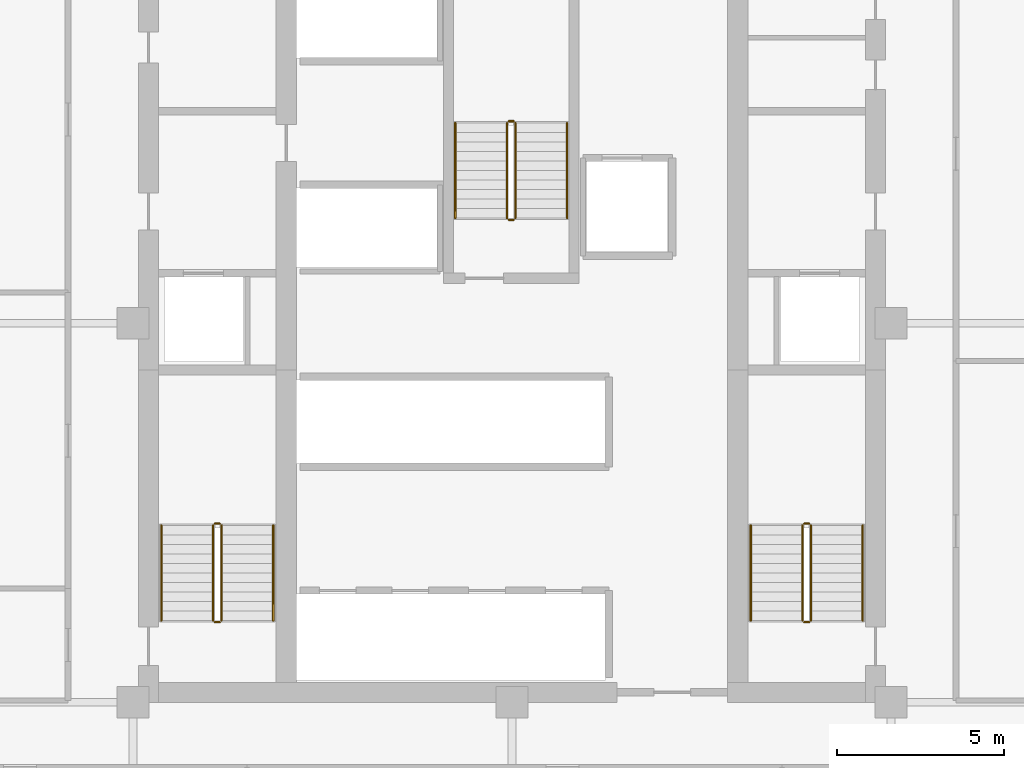
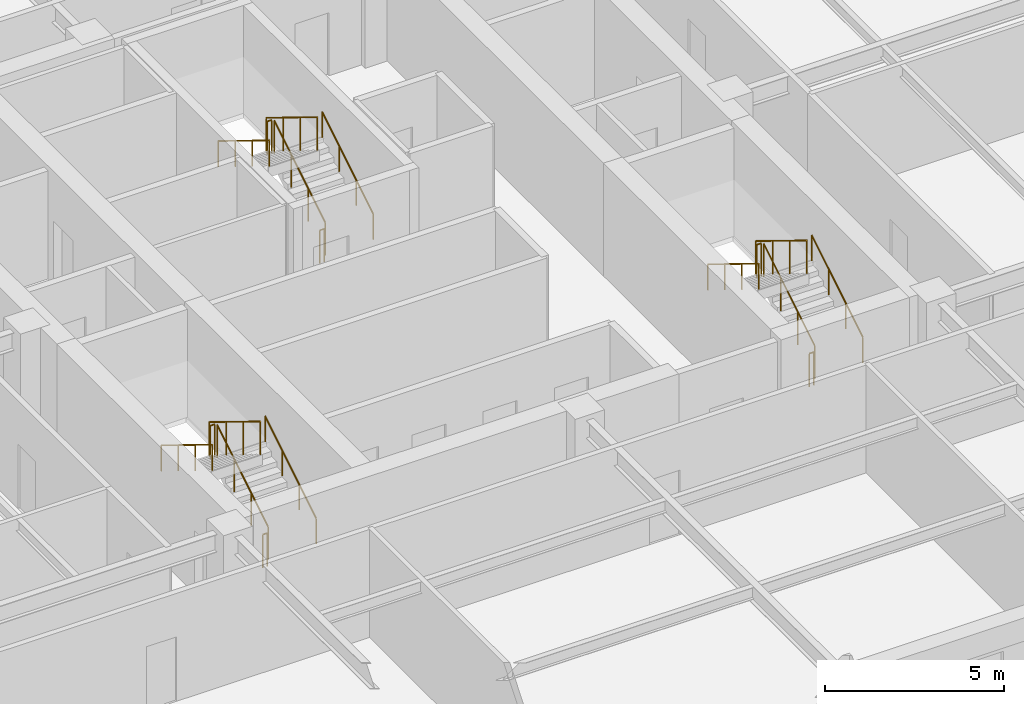
# One storey, part 7 of 8: 18 railings.
"""IFC4 building model written with IfcOpenShell, lengths in metres."""

from ifc_helpers import new_model, si_unit, direction, frame, origin, origin_2d, place, context, subcontext, project, spatial, circle, extrude, material, type_object, element, save


model = new_model("IFC4")

# Units and contexts
model_context = context("Model", 3, precision=1e-05, world=origin(), true_north=direction((0.0, 1.0)))
body_context = subcontext(model_context, "Body", "Model", "MODEL_VIEW")
ifc_project = project(units=[si_unit("LENGTHUNIT", "METRE"), si_unit("AREAUNIT", "SQUARE_METRE"), si_unit("VOLUMEUNIT", "CUBIC_METRE"), si_unit("PLANEANGLEUNIT", "RADIAN"), si_unit("MASSUNIT", "GRAM", prefix="KILO")], contexts=[model_context])

# Site, building, storey
site_placement = place(None, origin())
site = spatial("IfcSite", under=ifc_project, at=site_placement, CompositionType="ELEMENT")
building_placement = place(site_placement, origin())
building = spatial("IfcBuilding", under=site, at=building_placement, Name="Nhamokura Convention Tower", CompositionType="ELEMENT")
storey_placement = place(building_placement, frame((0.0, 0.0, 137.550048828125)))
storey = spatial("IfcBuildingStorey", under=building, at=storey_placement, Name="L33", CompositionType="ELEMENT", Elevation=137.550048828125)

# Railings
ifc_material_1 = material(Name="Anodised bronze stainless steel", Category="steel")
railing_type_1 = type_object("IfcRailingType", Name="StairWallHandrail_900", PredefinedType="HANDRAIL", material=ifc_material_1)
railing_1_placement = place(storey_placement, frame((24.85009765625, 23.10009765625, 0.175048828125)))
element("IfcRailing", 1, at=railing_1_placement, inside=storey, type_object=railing_type_1, Name="L33 ST-01 stair handrail 1", PredefinedType="HANDRAIL", context=body_context, shape_type="SweptSolid", body=[
    extrude(circle(Radius=0.02392578125, at=origin_2d()), frame((0.0, 0.0, 0.8759765625), z_axis=(0.0, 0.852159232446, 0.523282564737), x_axis=(-1.0, 0.0, 0.0)), (0.0, 0.0, 1.0), 3.34423828125),
    extrude(circle(Radius=0.02099609375, at=origin_2d()), origin(), (0.0, 0.0, 1.0), 0.851806640625),
    extrude(circle(Radius=0.02099609375, at=origin_2d()), frame((0.0, 0.949951171875, 0.583251953125)), (0.0, 0.0, 1.0), 0.851806640625),
    extrude(circle(Radius=0.02099609375, at=origin_2d()), frame((0.0, 1.89990234375, 1.166748046875)), (0.0, 0.0, 1.0), 0.851806640625),
    extrude(circle(Radius=0.02099609375, at=origin_2d()), frame((0.0, 2.849853515625, 1.75)), (0.0, 0.0, 1.0), 0.851806640625),
])
railing_2_placement = place(storey_placement, frame((21.5, 25.949951171875, 2.099853515625)))
element("IfcRailing", 2, at=railing_2_placement, inside=storey, type_object=railing_type_1, Name="L33 ST-01 stair handrail 2", PredefinedType="HANDRAIL", context=body_context, shape_type="SweptSolid", body=[
    extrude(circle(Radius=0.02392578125, at=origin_2d()), frame((0.0, 0.0, 0.8759765625), z_axis=(0.0, -0.852159232446, 0.523282564737), x_axis=(1.0, 0.0, 0.0)), (0.0, 0.0, 1.0), 3.34423828125),
    extrude(circle(Radius=0.02099609375, at=origin_2d()), origin(), (0.0, 0.0, 1.0), 0.851806640625),
    extrude(circle(Radius=0.02099609375, at=origin_2d()), frame((0.0, -0.949951171875, 0.583251953125)), (0.0, 0.0, 1.0), 0.851806640625),
    extrude(circle(Radius=0.02099609375, at=origin_2d()), frame((0.0, -1.89990234375, 1.166748046875)), (0.0, 0.0, 1.0), 0.851806640625),
    extrude(circle(Radius=0.02099609375, at=origin_2d()), frame((0.0, -2.849853515625, 1.75)), (0.0, 0.0, 1.0), 0.851806640625),
])
railing_3_placement = place(storey_placement, frame((42.5, 23.10009765625, 0.175048828125)))
element("IfcRailing", 3, at=railing_3_placement, inside=storey, type_object=railing_type_1, Name="L33 ST-02 stair handrail 1", PredefinedType="HANDRAIL", context=body_context, shape_type="SweptSolid", body=[
    extrude(circle(Radius=0.02392578125, at=origin_2d()), frame((0.0, 0.0, 0.8759765625), z_axis=(0.0, 0.852159232446, 0.523282564737), x_axis=(-1.0, 0.0, 0.0)), (0.0, 0.0, 1.0), 3.34423828125),
    extrude(circle(Radius=0.02099609375, at=origin_2d()), origin(), (0.0, 0.0, 1.0), 0.851806640625),
    extrude(circle(Radius=0.02099609375, at=origin_2d()), frame((0.0, 0.949951171875, 0.583251953125)), (0.0, 0.0, 1.0), 0.851806640625),
    extrude(circle(Radius=0.02099609375, at=origin_2d()), frame((0.0, 1.89990234375, 1.166748046875)), (0.0, 0.0, 1.0), 0.851806640625),
    extrude(circle(Radius=0.02099609375, at=origin_2d()), frame((0.0, 2.849853515625, 1.75)), (0.0, 0.0, 1.0), 0.851806640625),
])
railing_4_placement = place(storey_placement, frame((39.14990234375, 25.949951171875, 2.099853515625)))
element("IfcRailing", 4, at=railing_4_placement, inside=storey, type_object=railing_type_1, Name="L33 ST-02 stair handrail 2", PredefinedType="HANDRAIL", context=body_context, shape_type="SweptSolid", body=[
    extrude(circle(Radius=0.02392578125, at=origin_2d()), frame((0.0, 0.0, 0.8759765625), z_axis=(0.0, -0.852159232446, 0.523282564737), x_axis=(1.0, 0.0, 0.0)), (0.0, 0.0, 1.0), 3.34423828125),
    extrude(circle(Radius=0.02099609375, at=origin_2d()), origin(), (0.0, 0.0, 1.0), 0.851806640625),
    extrude(circle(Radius=0.02099609375, at=origin_2d()), frame((0.0, -0.949951171875, 0.583251953125)), (0.0, 0.0, 1.0), 0.851806640625),
    extrude(circle(Radius=0.02099609375, at=origin_2d()), frame((0.0, -1.89990234375, 1.166748046875)), (0.0, 0.0, 1.0), 0.851806640625),
    extrude(circle(Radius=0.02099609375, at=origin_2d()), frame((0.0, -2.849853515625, 1.75)), (0.0, 0.0, 1.0), 0.851806640625),
])
railing_5_placement = place(storey_placement, frame((33.64990234375, 35.14990234375, 0.175048828125)))
element("IfcRailing", 5, at=railing_5_placement, inside=storey, type_object=railing_type_1, Name="L33 ST-03 stair handrail 1", PredefinedType="HANDRAIL", context=body_context, shape_type="SweptSolid", body=[
    extrude(circle(Radius=0.02392578125, at=origin_2d()), frame((0.0, 0.0, 0.8759765625), z_axis=(0.0, 0.852179220489, 0.52325001306), x_axis=(-1.0, 0.0, 0.0)), (0.0, 0.0, 1.0), 3.344482421875),
    extrude(circle(Radius=0.02099609375, at=origin_2d()), origin(), (0.0, 0.0, 1.0), 0.851806640625),
    extrude(circle(Radius=0.02099609375, at=origin_2d()), frame((0.0, 0.949951171875, 0.583251953125)), (0.0, 0.0, 1.0), 0.851806640625),
    extrude(circle(Radius=0.02099609375, at=origin_2d()), frame((0.0, 1.900146484375, 1.166748046875)), (0.0, 0.0, 1.0), 0.851806640625),
    extrude(circle(Radius=0.02099609375, at=origin_2d()), frame((0.0, 2.85009765625, 1.75)), (0.0, 0.0, 1.0), 0.851806640625),
])
railing_6_placement = place(storey_placement, frame((30.300048828125, 38.0, 2.099853515625)))
element("IfcRailing", 6, at=railing_6_placement, inside=storey, type_object=railing_type_1, Name="L33 ST-03 stair handrail 2", PredefinedType="HANDRAIL", context=body_context, shape_type="SweptSolid", body=[
    extrude(circle(Radius=0.02392578125, at=origin_2d()), frame((0.0, 0.0, 0.8759765625), z_axis=(0.0, -0.852179220489, 0.52325001306), x_axis=(1.0, 0.0, 0.0)), (0.0, 0.0, 1.0), 3.344482421875),
    extrude(circle(Radius=0.02099609375, at=origin_2d()), origin(), (0.0, 0.0, 1.0), 0.851806640625),
    extrude(circle(Radius=0.02099609375, at=origin_2d()), frame((0.0, -0.949951171875, 0.583251953125)), (0.0, 0.0, 1.0), 0.851806640625),
    extrude(circle(Radius=0.02099609375, at=origin_2d()), frame((0.0, -1.900146484375, 1.166748046875)), (0.0, 0.0, 1.0), 0.851806640625),
    extrude(circle(Radius=0.02099609375, at=origin_2d()), frame((0.0, -2.85009765625, 1.75)), (0.0, 0.0, 1.0), 0.851806640625),
])
ifc_material_2 = material(Name="Painted tubular steel", Category="steel")
railing_type_2 = type_object("IfcRailingType", Name="StairWellGuardrail_1150", PredefinedType="GUARDRAIL", material=ifc_material_2)
railing_7_placement = place(storey_placement, frame((23.300048828125, 23.10009765625, 0.175048828125)))
element("IfcRailing", 7, at=railing_7_placement, inside=storey, type_object=railing_type_2, Name="L33 ST-01 stair guard 1", PredefinedType="GUARDRAIL", context=body_context, shape_type="SweptSolid", body=[
    extrude(circle(Radius=0.02392578125, at=origin_2d()), frame((0.0, 0.0, 1.1259765625), z_axis=(0.0, 0.852159232446, 0.523282564737), x_axis=(-1.0, 0.0, 0.0)), (0.0, 0.0, 1.0), 3.34423828125),
    extrude(circle(Radius=0.02099609375, at=origin_2d()), origin(), (0.0, 0.0, 1.0), 1.101806640625),
    extrude(circle(Radius=0.02099609375, at=origin_2d()), frame((0.0, 0.949951171875, 0.583251953125)), (0.0, 0.0, 1.0), 1.101806640625),
    extrude(circle(Radius=0.02099609375, at=origin_2d()), frame((0.0, 1.89990234375, 1.166748046875)), (0.0, 0.0, 1.0), 1.101806640625),
    extrude(circle(Radius=0.02099609375, at=origin_2d()), frame((0.0, 2.849853515625, 1.75)), (0.0, 0.0, 1.0), 1.101806640625),
])
railing_8_placement = place(storey_placement, frame((23.25, 26.0, 1.925048828125)))
element("IfcRailing", 8, at=railing_8_placement, inside=storey, type_object=railing_type_2, Name="L33 ST-01 stair guard 2", PredefinedType="GUARDRAIL", context=body_context, shape_type="SweptSolid", body=[
    extrude(circle(Radius=0.02392578125, at=origin_2d()), frame((0.0, 0.0, 1.1259765625), z_axis=(-1.0, 0.0, 0.0), x_axis=(0.0, -1.0, 0.0)), (0.0, 0.0, 1.0), 0.14990234375),
    extrude(circle(Radius=0.02099609375, at=origin_2d()), origin(), (0.0, 0.0, 1.0), 1.101806640625),
    extrude(circle(Radius=0.02099609375, at=origin_2d()), frame((-0.14990234375, 0.0, 0.0)), (0.0, 0.0, 1.0), 1.101806640625),
])
railing_9_placement = place(storey_placement, frame((23.050048828125, 25.949951171875, 2.099853515625)))
element("IfcRailing", 9, at=railing_9_placement, inside=storey, type_object=railing_type_2, Name="L33 ST-01 stair guard 3", PredefinedType="GUARDRAIL", context=body_context, shape_type="SweptSolid", body=[
    extrude(circle(Radius=0.02392578125, at=origin_2d()), frame((0.0, 0.0, 1.1259765625), z_axis=(0.0, -0.852159232446, 0.523282564737), x_axis=(1.0, 0.0, 0.0)), (0.0, 0.0, 1.0), 3.34423828125),
    extrude(circle(Radius=0.02099609375, at=origin_2d()), origin(), (0.0, 0.0, 1.0), 1.101806640625),
    extrude(circle(Radius=0.02099609375, at=origin_2d()), frame((0.0, -0.949951171875, 0.583251953125)), (0.0, 0.0, 1.0), 1.101806640625),
    extrude(circle(Radius=0.02099609375, at=origin_2d()), frame((0.0, -1.89990234375, 1.166748046875)), (0.0, 0.0, 1.0), 1.101806640625),
    extrude(circle(Radius=0.02099609375, at=origin_2d()), frame((0.0, -2.849853515625, 1.75)), (0.0, 0.0, 1.0), 1.101806640625),
])
railing_10_placement = place(storey_placement, frame((23.25, 23.050048828125, 0.0)))
element("IfcRailing", 10, at=railing_10_placement, inside=storey, type_object=railing_type_2, Name="L33 ST-01 stair guard 4", PredefinedType="GUARDRAIL", context=body_context, shape_type="SweptSolid", body=[
    extrude(circle(Radius=0.02392578125, at=origin_2d()), frame((0.0, 0.0, 1.1259765625), z_axis=(-1.0, 0.0, 0.0), x_axis=(0.0, -1.0, 0.0)), (0.0, 0.0, 1.0), 0.14990234375),
    extrude(circle(Radius=0.02099609375, at=origin_2d()), origin(), (0.0, 0.0, 1.0), 1.101806640625),
    extrude(circle(Radius=0.02099609375, at=origin_2d()), frame((-0.14990234375, 0.0, 0.0)), (0.0, 0.0, 1.0), 1.101806640625),
])
railing_11_placement = place(storey_placement, frame((40.949951171875, 23.10009765625, 0.175048828125)))
element("IfcRailing", 11, at=railing_11_placement, inside=storey, type_object=railing_type_2, Name="L33 ST-02 stair guard 1", PredefinedType="GUARDRAIL", context=body_context, shape_type="SweptSolid", body=[
    extrude(circle(Radius=0.02392578125, at=origin_2d()), frame((0.0, 0.0, 1.1259765625), z_axis=(0.0, 0.852159232446, 0.523282564737), x_axis=(-1.0, 0.0, 0.0)), (0.0, 0.0, 1.0), 3.34423828125),
    extrude(circle(Radius=0.02099609375, at=origin_2d()), origin(), (0.0, 0.0, 1.0), 1.101806640625),
    extrude(circle(Radius=0.02099609375, at=origin_2d()), frame((0.0, 0.949951171875, 0.583251953125)), (0.0, 0.0, 1.0), 1.101806640625),
    extrude(circle(Radius=0.02099609375, at=origin_2d()), frame((0.0, 1.89990234375, 1.166748046875)), (0.0, 0.0, 1.0), 1.101806640625),
    extrude(circle(Radius=0.02099609375, at=origin_2d()), frame((0.0, 2.849853515625, 1.75)), (0.0, 0.0, 1.0), 1.101806640625),
])
railing_12_placement = place(storey_placement, frame((40.89990234375, 26.0, 1.925048828125)))
element("IfcRailing", 12, at=railing_12_placement, inside=storey, type_object=railing_type_2, Name="L33 ST-02 stair guard 2", PredefinedType="GUARDRAIL", context=body_context, shape_type="SweptSolid", body=[
    extrude(circle(Radius=0.02392578125, at=origin_2d()), frame((0.0, 0.0, 1.1259765625), z_axis=(-1.0, 0.0, 0.0), x_axis=(0.0, -1.0, 0.0)), (0.0, 0.0, 1.0), 0.14990234375),
    extrude(circle(Radius=0.02099609375, at=origin_2d()), origin(), (0.0, 0.0, 1.0), 1.101806640625),
    extrude(circle(Radius=0.02099609375, at=origin_2d()), frame((-0.14990234375, 0.0, 0.0)), (0.0, 0.0, 1.0), 1.101806640625),
])
railing_13_placement = place(storey_placement, frame((40.699951171875, 25.949951171875, 2.099853515625)))
element("IfcRailing", 13, at=railing_13_placement, inside=storey, type_object=railing_type_2, Name="L33 ST-02 stair guard 3", PredefinedType="GUARDRAIL", context=body_context, shape_type="SweptSolid", body=[
    extrude(circle(Radius=0.02392578125, at=origin_2d()), frame((0.0, 0.0, 1.1259765625), z_axis=(0.0, -0.852159232446, 0.523282564737), x_axis=(1.0, 0.0, 0.0)), (0.0, 0.0, 1.0), 3.34423828125),
    extrude(circle(Radius=0.02099609375, at=origin_2d()), origin(), (0.0, 0.0, 1.0), 1.101806640625),
    extrude(circle(Radius=0.02099609375, at=origin_2d()), frame((0.0, -0.949951171875, 0.583251953125)), (0.0, 0.0, 1.0), 1.101806640625),
    extrude(circle(Radius=0.02099609375, at=origin_2d()), frame((0.0, -1.89990234375, 1.166748046875)), (0.0, 0.0, 1.0), 1.101806640625),
    extrude(circle(Radius=0.02099609375, at=origin_2d()), frame((0.0, -2.849853515625, 1.75)), (0.0, 0.0, 1.0), 1.101806640625),
])
railing_14_placement = place(storey_placement, frame((40.89990234375, 23.050048828125, 0.0)))
element("IfcRailing", 14, at=railing_14_placement, inside=storey, type_object=railing_type_2, Name="L33 ST-02 stair guard 4", PredefinedType="GUARDRAIL", context=body_context, shape_type="SweptSolid", body=[
    extrude(circle(Radius=0.02392578125, at=origin_2d()), frame((0.0, 0.0, 1.1259765625), z_axis=(-1.0, 0.0, 0.0), x_axis=(0.0, -1.0, 0.0)), (0.0, 0.0, 1.0), 0.14990234375),
    extrude(circle(Radius=0.02099609375, at=origin_2d()), origin(), (0.0, 0.0, 1.0), 1.101806640625),
    extrude(circle(Radius=0.02099609375, at=origin_2d()), frame((-0.14990234375, 0.0, 0.0)), (0.0, 0.0, 1.0), 1.101806640625),
])
railing_15_placement = place(storey_placement, frame((32.10009765625, 35.14990234375, 0.175048828125)))
element("IfcRailing", 15, at=railing_15_placement, inside=storey, type_object=railing_type_2, Name="L33 ST-03 stair guard 1", PredefinedType="GUARDRAIL", context=body_context, shape_type="SweptSolid", body=[
    extrude(circle(Radius=0.02392578125, at=origin_2d()), frame((0.0, 0.0, 1.1259765625), z_axis=(0.0, 0.852179220489, 0.52325001306), x_axis=(-1.0, 0.0, 0.0)), (0.0, 0.0, 1.0), 3.344482421875),
    extrude(circle(Radius=0.02099609375, at=origin_2d()), origin(), (0.0, 0.0, 1.0), 1.101806640625),
    extrude(circle(Radius=0.02099609375, at=origin_2d()), frame((0.0, 0.949951171875, 0.583251953125)), (0.0, 0.0, 1.0), 1.101806640625),
    extrude(circle(Radius=0.02099609375, at=origin_2d()), frame((0.0, 1.900146484375, 1.166748046875)), (0.0, 0.0, 1.0), 1.101806640625),
    extrude(circle(Radius=0.02099609375, at=origin_2d()), frame((0.0, 2.85009765625, 1.75)), (0.0, 0.0, 1.0), 1.101806640625),
])
railing_16_placement = place(storey_placement, frame((32.050048828125, 38.050048828125, 1.925048828125)))
element("IfcRailing", 16, at=railing_16_placement, inside=storey, type_object=railing_type_2, Name="L33 ST-03 stair guard 2", PredefinedType="GUARDRAIL", context=body_context, shape_type="SweptSolid", body=[
    extrude(circle(Radius=0.02392578125, at=origin_2d()), frame((0.0, 0.0, 1.1259765625), z_axis=(-1.0, 0.0, 0.0), x_axis=(0.0, -1.0, 0.0)), (0.0, 0.0, 1.0), 0.150146484375),
    extrude(circle(Radius=0.02099609375, at=origin_2d()), origin(), (0.0, 0.0, 1.0), 1.101806640625),
    extrude(circle(Radius=0.02099609375, at=origin_2d()), frame((-0.150146484375, 0.0, 0.0)), (0.0, 0.0, 1.0), 1.101806640625),
])
railing_17_placement = place(storey_placement, frame((31.85009765625, 38.0, 2.099853515625)))
element("IfcRailing", 17, at=railing_17_placement, inside=storey, type_object=railing_type_2, Name="L33 ST-03 stair guard 3", PredefinedType="GUARDRAIL", context=body_context, shape_type="SweptSolid", body=[
    extrude(circle(Radius=0.02392578125, at=origin_2d()), frame((0.0, 0.0, 1.1259765625), z_axis=(0.0, -0.852179220489, 0.52325001306), x_axis=(1.0, 0.0, 0.0)), (0.0, 0.0, 1.0), 3.344482421875),
    extrude(circle(Radius=0.02099609375, at=origin_2d()), origin(), (0.0, 0.0, 1.0), 1.101806640625),
    extrude(circle(Radius=0.02099609375, at=origin_2d()), frame((0.0, -0.949951171875, 0.583251953125)), (0.0, 0.0, 1.0), 1.101806640625),
    extrude(circle(Radius=0.02099609375, at=origin_2d()), frame((0.0, -1.900146484375, 1.166748046875)), (0.0, 0.0, 1.0), 1.101806640625),
    extrude(circle(Radius=0.02099609375, at=origin_2d()), frame((0.0, -2.85009765625, 1.75)), (0.0, 0.0, 1.0), 1.101806640625),
])
railing_18_placement = place(storey_placement, frame((32.050048828125, 35.10009765625, 0.0)))
element("IfcRailing", 18, at=railing_18_placement, inside=storey, type_object=railing_type_2, Name="L33 ST-03 stair guard 4", PredefinedType="GUARDRAIL", context=body_context, shape_type="SweptSolid", body=[
    extrude(circle(Radius=0.02392578125, at=origin_2d()), frame((0.0, 0.0, 1.1259765625), z_axis=(-1.0, 0.0, 0.0), x_axis=(0.0, -1.0, 0.0)), (0.0, 0.0, 1.0), 0.150146484375),
    extrude(circle(Radius=0.02099609375, at=origin_2d()), origin(), (0.0, 0.0, 1.0), 1.101806640625),
    extrude(circle(Radius=0.02099609375, at=origin_2d()), frame((-0.150146484375, 0.0, 0.0)), (0.0, 0.0, 1.0), 1.101806640625),
])

save(model, "model.ifc")
